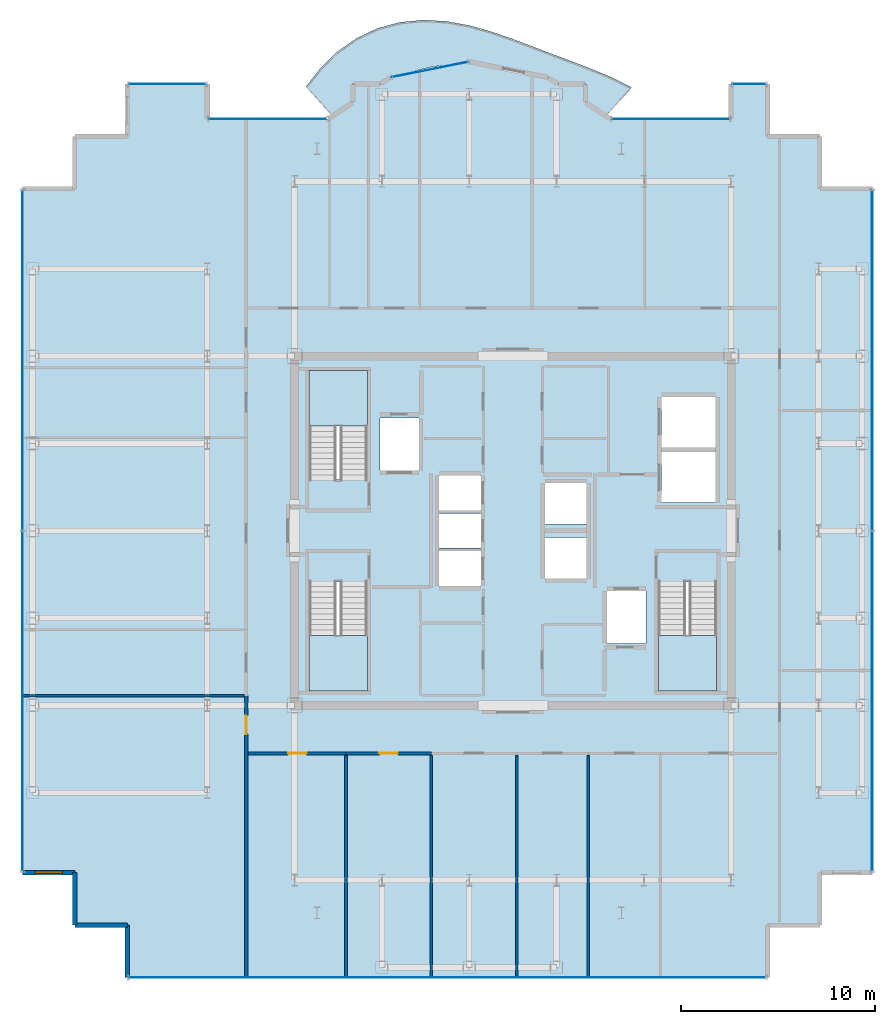
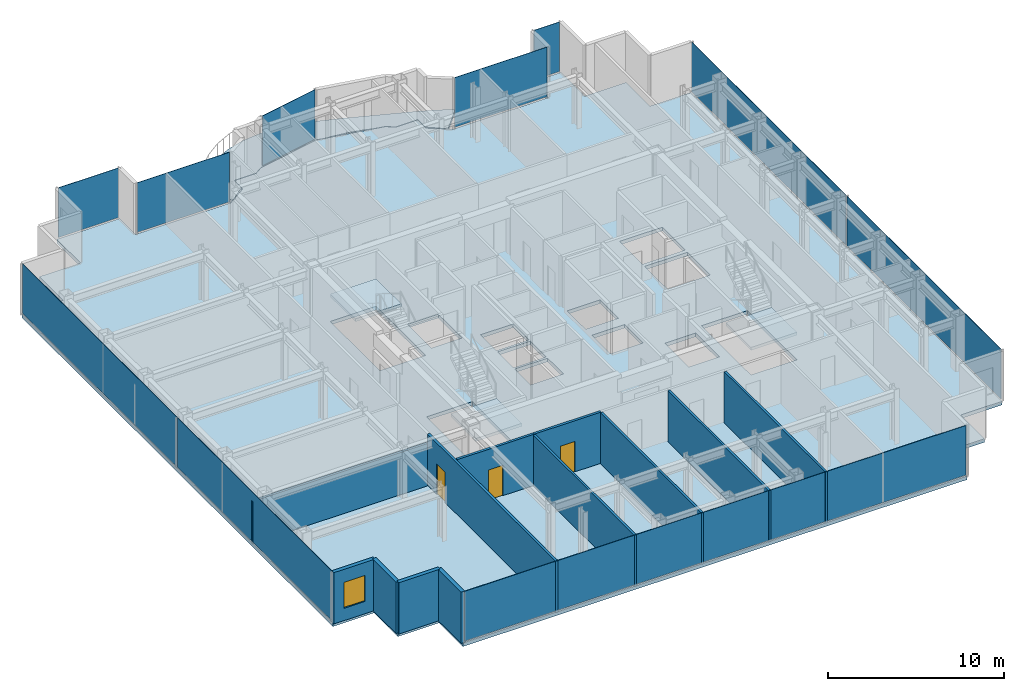
# One storey, part 12 of 18: 12 walls, 10 plates, 5 slabs, 3 doors, 1 window, 4 openings, 11 elements without a shape of their own.
"""IFC4 building model written with IfcOpenShell, lengths in metres."""

from ifc_helpers import new_model, si_unit, direction, frame, frame_2d, origin, origin_2d, place, context, subcontext, project, spatial, polyline, rectangle, outline, extrude, source, transform, mapped, material, layer, layer_set, type_object, element, fill, aggregate, save


model = new_model("IFC4")

# Units and contexts
model_context = context("Model", 3, precision=1e-05, world=origin(), true_north=direction((0.0, 1.0)))
body_context = subcontext(model_context, "Body", "Model", "MODEL_VIEW")
ifc_project = project(units=[si_unit("LENGTHUNIT", "METRE"), si_unit("AREAUNIT", "SQUARE_METRE"), si_unit("VOLUMEUNIT", "CUBIC_METRE"), si_unit("PLANEANGLEUNIT", "RADIAN"), si_unit("MASSUNIT", "GRAM", prefix="KILO")], contexts=[model_context])

# Site, building, storey
site_placement = place(None, origin())
site = spatial("IfcSite", under=ifc_project, at=site_placement, CompositionType="ELEMENT")
building_placement = place(site_placement, origin())
building = spatial("IfcBuilding", under=site, at=building_placement, Name="Nefas-Gora Pilgrimage Tower", CompositionType="ELEMENT")
storey_placement = place(building_placement, frame((0.0, 0.0, 283.60009765625)))
storey = spatial("IfcBuildingStorey", under=building, at=storey_placement, Name="L71", CompositionType="ELEMENT", Elevation=283.60009765625)

# Slabs
ifc_material_1 = material(Name="Concrete C40/50", Category="concrete")
ifc_layer_1 = layer(ifc_material_1, 0.22509765625)
ifc_layer_set_1 = layer_set([ifc_layer_1], Name="Concrete C40/50")
slab_type_1 = type_object("IfcSlabType", Name="SLB-BAL-P4", PredefinedType="FLOOR", material=ifc_layer_set_1)
slab_1_placement = place(storey_placement, frame((0.0, 0.0, -0.22509765625)))
element("IfcSlab", 1, at=slab_1_placement, inside=storey, type_object=slab_type_1, Name="L71 Sinusoidal Lobe Balcony Slab N (Phase 4)", PredefinedType="FLOOR", context=body_context, shape_type="SweptSolid", body=[
    extrude(outline(polyline([(-9.28759765625, 21.385986328125), (-9.224609375, 21.427978515625), (-8.538330078125, 21.9912109375), (-8.260009765625, 22.179931640625), (-8.260009765625, 23.02001953125), (-8.260009765625, 23.02099609375), (-8.259765625, 23.02197265625), (-8.259521484375, 23.02294921875), (-8.25927734375, 23.023681640625), (-8.2587890625, 23.024658203125), (-8.25830078125, 23.025634765625), (-8.2578125, 23.0263671875), (-8.257080078125, 23.027099609375), (-8.25634765625, 23.027587890625), (-8.255615234375, 23.0283203125), (-8.254638671875, 23.02880859375), (-8.25390625, 23.029296875), (-8.2529296875, 23.029541015625), (-8.251953125, 23.02978515625), (-8.2509765625, 23.030029296875), (-8.25, 23.030029296875), (-6.8271484375, 23.030029296875), (-6.31298828125, 23.37353515625), (-6.31201171875, 23.3740234375), (-6.311279296875, 23.37451171875), (-6.310302734375, 23.375), (-6.309326171875, 23.375), (-5.63037109375, 23.51025390625), (-5.102783203125, 23.685302734375), (-4.165283203125, 23.904052734375), (-3.211669921875, 24.035888671875), (-2.919921875, 24.04931640625), (-2.251953125, 24.18212890625), (-2.2509765625, 24.182373046875), (-2.25, 24.182373046875), (-2.2490234375, 24.182373046875), (-2.248046875, 24.18212890625), (-1.580078125, 24.04931640625), (-1.288330078125, 24.035888671875), (-0.334716796875, 23.904052734375), (0.602783203125, 23.685302734375), (1.13037109375, 23.51025390625), (1.809326171875, 23.375), (1.810302734375, 23.375), (1.811279296875, 23.37451171875), (1.81201171875, 23.3740234375), (1.81298828125, 23.37353515625), (2.3271484375, 23.030029296875), (3.75, 23.030029296875), (3.7509765625, 23.030029296875), (3.751953125, 23.02978515625), (3.7529296875, 23.029541015625), (3.75390625, 23.029296875), (3.754638671875, 23.02880859375), (3.755615234375, 23.0283203125), (3.75634765625, 23.027587890625), (3.757080078125, 23.027099609375), (3.7578125, 23.0263671875), (3.75830078125, 23.025634765625), (3.7587890625, 23.024658203125), (3.75927734375, 23.023681640625), (3.759521484375, 23.02294921875), (3.759765625, 23.02197265625), (3.760009765625, 23.02099609375), (3.760009765625, 23.02001953125), (3.760009765625, 22.179931640625), (4.038330078125, 21.9912109375), (4.724609375, 21.427978515625), (4.78759765625, 21.385986328125), (6.114013671875, 22.859375), (5.07080078125, 23.373779296875), (4.025390625, 23.810302734375), (2.994384765625, 24.20458984375), (1.978759765625, 24.58642578125), (0.965576171875, 24.9716796875), (-0.06494140625, 25.359130859375), (-1.1328125, 25.7275390625), (-2.25, 26.041015625), (-3.41552734375, 26.25390625), (-4.61328125, 26.321533203125), (-5.814208984375, 26.20751953125), (-6.97998046875, 25.89208984375), (-8.072021484375, 25.375732421875), (-9.05810546875, 24.6796875), (-9.9189453125, 23.840087890625), (-10.653076171875, 22.902587890625), (-9.28759765625, 21.385986328125)])), origin(), (0.0, 0.0, 1.0), 0.22509765625),
])
ifc_layer_2 = layer(ifc_material_1, 0.25)
ifc_layer_set_2 = layer_set([ifc_layer_2], Name="Concrete C40/50")
slab_type_2 = type_object("IfcSlabType", Name="SLB-TWR-260", PredefinedType="FLOOR", material=ifc_layer_set_2)
slab_2_placement = place(storey_placement, frame((0.0, 0.0, -0.25)))
element("IfcSlab", 2, at=slab_2_placement, inside=storey, type_object=slab_type_2, Name="L71 Structural Floor Slab", PredefinedType="FLOOR", context=body_context, shape_type="SweptSolid", body=[
    extrude(outline(polyline([(15.820068359375, -17.6201171875), (18.52001953125, -17.6201171875), (18.52001953125, 17.6201171875), (15.820068359375, 17.6201171875), (15.820068359375, 20.320068359375), (13.1201171875, 20.320068359375), (13.1201171875, 23.02001953125), (11.25, 23.02001953125), (11.25, 21.219970703125), (5.01806640625, 21.219970703125), (3.75, 22.0673828125), (3.75, 23.02001953125), (2.32421875, 23.02001953125), (1.807373046875, 23.365234375), (-2.25, 24.17236328125), (-6.307373046875, 23.365234375), (-6.82421875, 23.02001953125), (-8.25, 23.02001953125), (-8.25, 22.0673828125), (-9.51806640625, 21.219970703125), (-15.75, 21.219970703125), (-15.75, 23.02001953125), (-19.8701171875, 23.02001953125), (-19.8701171875, 20.320068359375), (-22.570068359375, 20.320068359375), (-22.570068359375, 17.6201171875), (-25.27001953125, 17.6201171875), (-25.27001953125, -17.6201171875), (-22.570068359375, -17.6201171875), (-22.570068359375, -20.320068359375), (-19.8701171875, -20.320068359375), (-19.8701171875, -23.02001953125), (13.1201171875, -23.02001953125), (13.1201171875, -20.320068359375), (15.820068359375, -20.320068359375), (15.820068359375, -17.6201171875)]), holes=[polyline([(-10.5, 2.639892578125), (-10.5, 8.25), (-7.5, 8.25), (-7.5, 2.639892578125), (-10.5, 2.639892578125)]), polyline([(10.5, -2.639892578125), (10.5, -8.25), (7.5, -8.25), (7.5, -2.639892578125), (10.5, -2.639892578125)]), polyline([(-7.5, -2.639892578125), (-7.5, -8.25), (-10.5, -8.25), (-10.5, -2.639892578125), (-7.5, -2.639892578125)]), polyline([(-6.85009765625, 5.800048828125), (-4.85009765625, 5.800048828125), (-4.85009765625, 3.10009765625), (-6.85009765625, 3.10009765625), (-6.85009765625, 5.800048828125)]), polyline([(4.85009765625, -3.10009765625), (6.85009765625, -3.10009765625), (6.85009765625, -5.800048828125), (4.85009765625, -5.800048828125), (4.85009765625, -3.10009765625)]), polyline([(7.64990234375, 4.050048828125), (10.449951171875, 4.050048828125), (10.449951171875, 1.449951171875), (7.64990234375, 1.449951171875), (7.64990234375, 4.050048828125)]), polyline([(7.64990234375, 6.89990234375), (10.449951171875, 6.89990234375), (10.449951171875, 4.300048828125), (7.64990234375, 4.300048828125), (7.64990234375, 6.89990234375)]), polyline([(-3.800048828125, -1.050048828125), (-1.64990234375, -1.050048828125), (-1.64990234375, -2.85009765625), (-3.800048828125, -2.85009765625), (-3.800048828125, -1.050048828125)]), polyline([(-3.800048828125, 0.89990234375), (-1.64990234375, 0.89990234375), (-1.64990234375, -0.89990234375), (-3.800048828125, -0.89990234375), (-3.800048828125, 0.89990234375)]), polyline([(-3.800048828125, 2.85009765625), (-1.64990234375, 2.85009765625), (-1.64990234375, 1.050048828125), (-3.800048828125, 1.050048828125), (-3.800048828125, 2.85009765625)]), polyline([(1.64990234375, -0.35009765625), (3.800048828125, -0.35009765625), (3.800048828125, -2.449951171875), (1.64990234375, -2.449951171875), (1.64990234375, -0.35009765625)]), polyline([(1.64990234375, 2.449951171875), (3.800048828125, 2.449951171875), (3.800048828125, 0.35009765625), (1.64990234375, 0.35009765625), (1.64990234375, 2.449951171875)])]), origin(), (0.0, 0.0, 1.0), 0.25),
])

# Stair, slab
ifc_material_2 = material(Name="Concrete C45/55", Category="concrete")
stair_type = type_object("IfcStairType", Name="STR-1400-R1727", PredefinedType="HALF_TURN_STAIR", material=ifc_material_2)
stair_1_placement = place(storey_placement, origin())
stair_1 = element("IfcStair", 3, at=stair_1_placement, inside=storey, type_object=stair_type, Name="L71 Pressurised Tower Exit Stair ST-01", PredefinedType="HALF_TURN_STAIR")
ifc_layer_3 = layer(ifc_material_1, 0.199951171875)
ifc_layer_set_3 = layer_set([ifc_layer_3], Name="Concrete C40/50")
slab_type_3 = type_object("IfcSlabType", Name="STR-LAND-200", PredefinedType="LANDING", material=ifc_layer_set_3)
slab_3_placement = place(storey_placement, frame((0.0, 0.0, 1.699951171875)))
slab_3 = element("IfcSlab", 4, at=slab_3_placement, type_object=slab_type_3, Name="ST-01 landing 1", PredefinedType="LANDING", context=body_context, shape_type="SweptSolid", body=[
    extrude(outline(polyline([(-7.5, 5.39990234375), (-7.5, 8.25), (-10.5, 8.25), (-10.5, 5.39990234375), (-7.5, 5.39990234375)])), origin(), (0.0, 0.0, 1.0), 0.199951171875),
])
aggregate(stair_1, [slab_3])

stair_2_placement = place(storey_placement, origin())
stair_2 = element("IfcStair", 5, at=stair_2_placement, inside=storey, type_object=stair_type, Name="L71 Pressurised Tower Exit Stair ST-02", PredefinedType="HALF_TURN_STAIR")
slab_4_placement = place(storey_placement, frame((0.0, 0.0, 1.699951171875)))
slab_4 = element("IfcSlab", 6, at=slab_4_placement, type_object=slab_type_3, Name="ST-02 landing 1", PredefinedType="LANDING", context=body_context, shape_type="SweptSolid", body=[
    extrude(outline(polyline([(7.5, -5.39990234375), (7.5, -8.25), (10.5, -8.25), (10.5, -5.39990234375), (7.5, -5.39990234375)])), origin(), (0.0, 0.0, 1.0), 0.199951171875),
])
aggregate(stair_2, [slab_4])

stair_3_placement = place(storey_placement, origin())
stair_3 = element("IfcStair", 7, at=stair_3_placement, inside=storey, type_object=stair_type, Name="L71 Pressurised Tower Exit Stair ST-03", PredefinedType="HALF_TURN_STAIR")
slab_5_placement = place(storey_placement, frame((0.0, 0.0, 1.699951171875)))
slab_5 = element("IfcSlab", 8, at=slab_5_placement, type_object=slab_type_3, Name="ST-03 landing 1", PredefinedType="LANDING", context=body_context, shape_type="SweptSolid", body=[
    extrude(outline(polyline([(-10.5, -5.39990234375), (-10.5, -8.25), (-7.5, -8.25), (-7.5, -5.39990234375), (-10.5, -5.39990234375)])), origin(), (0.0, 0.0, 1.0), 0.199951171875),
])
aggregate(stair_3, [slab_5])

# Curtain wall, plate
ifc_material_3 = material(Name="Dark ceramic-fritted solar-control aluminium-glass curtain wall", Category="aluminium")
ifc_layer_4 = layer(ifc_material_3, 0.219970703125)
ifc_layer_set_4 = layer_set([ifc_layer_4], Name="Dark ceramic-fritted solar-control aluminium-glass curtain wall")
curtain_wall_type_1 = type_object("IfcCurtainWallType", Name="CW-SYS-5", PredefinedType="NOTDEFINED", material=ifc_layer_set_4)
curtain_wall_1_placement = place(storey_placement, origin())
curtain_wall_1 = element("IfcCurtainWall", 9, at=curtain_wall_1_placement, inside=storey, type_object=curtain_wall_type_1, Name="L71 Unitised Curtain Wall CW5", PredefinedType="NOTDEFINED")
ifc_material_4 = material(Name="Dark ceramic-printed low-e insulated glass", Category="glass")
ifc_layer_5 = layer(ifc_material_4, 0.028076171875)
ifc_layer_set_5 = layer_set([ifc_layer_5], Name="Dark ceramic-printed low-e insulated glass")
plate_type_1 = type_object("IfcPlateType", Name="CWP-PNL-5", PredefinedType="CURTAIN_PANEL", material=ifc_layer_set_5)
shared_shape_1 = source(origin(), body_context, "Body", "SweptSolid", [
    extrude(rectangle(XDim=6.052001953125, YDim=0.028076171875, at=origin_2d()), origin(), (0.0, 0.0, 1.0), 3.43994140625),
])
plate_1_placement = place(storey_placement, frame((8.134033203125, 21.219970703125, 0.099853515625), z_axis=(0.0, 0.0, 1.0), x_axis=(-1.0, 0.0, 0.0)))
plate_1 = element("IfcPlate", 10, at=plate_1_placement, type_object=plate_type_1, Name="CW5 Ceramic-Fritted Glazing Panel 1", PredefinedType="CURTAIN_PANEL", context=body_context, shape_type="MappedRepresentation", body=[
    mapped(shared_shape_1, transform((0.0, 0.0, 0.0), x_axis=(1.0, 0.0, 0.0), y_axis=(0.0, 1.0, 0.0), z_axis=(0.0, 0.0, 1.0), scale=1.0)),
])
aggregate(curtain_wall_1, [plate_1])

curtain_wall_2_placement = place(storey_placement, origin())
curtain_wall_2 = element("IfcCurtainWall", 11, at=curtain_wall_2_placement, inside=storey, type_object=curtain_wall_type_1, Name="L71 Unitised Curtain Wall CW5", PredefinedType="NOTDEFINED")
plate_2_placement = place(storey_placement, frame((-12.634033203125, 21.219970703125, 0.099853515625), z_axis=(0.0, 0.0, 1.0), x_axis=(-1.0, 0.0, 0.0)))
plate_2 = element("IfcPlate", 12, at=plate_2_placement, type_object=plate_type_1, Name="CW5 Ceramic-Fritted Glazing Panel 1", PredefinedType="CURTAIN_PANEL", context=body_context, shape_type="MappedRepresentation", body=[
    mapped(shared_shape_1, transform((0.0, 0.0, 0.0), x_axis=(1.0, 0.0, 0.0), y_axis=(0.0, 1.0, 0.0), z_axis=(0.0, 0.0, 1.0), scale=1.0)),
])
aggregate(curtain_wall_2, [plate_2])

curtain_wall_3_placement = place(storey_placement, origin())
curtain_wall_3 = element("IfcCurtainWall", 13, at=curtain_wall_3_placement, inside=storey, type_object=curtain_wall_type_1, Name="L71 Unitised Curtain Wall CW5", PredefinedType="NOTDEFINED")
shared_shape_2 = source(origin(), body_context, "Body", "SweptSolid", [
    extrude(rectangle(XDim=3.956787109375, YDim=0.028076171875, at=origin_2d()), origin(), (0.0, 0.0, 1.0), 3.43994140625),
])
plate_3_placement = place(storey_placement, frame((-4.278564453125, 23.768798828125, 0.099853515625), z_axis=(0.0, 0.0, 1.0), x_axis=(-0.980782896852, -0.195102304554, 0.0)))
plate_3 = element("IfcPlate", 14, at=plate_3_placement, type_object=plate_type_1, Name="CW5 Ceramic-Fritted Glazing Panel 1", PredefinedType="CURTAIN_PANEL", context=body_context, shape_type="MappedRepresentation", body=[
    mapped(shared_shape_2, transform((0.0, 0.0, 0.0), x_axis=(1.0, 0.0, 0.0), y_axis=(0.0, 1.0, 0.0), z_axis=(0.0, 0.0, 1.0), scale=1.0)),
])
aggregate(curtain_wall_3, [plate_3])

ifc_layer_6 = layer(ifc_material_3, 0.219970703125)
ifc_layer_set_6 = layer_set([ifc_layer_6], Name="Dark ceramic-fritted solar-control aluminium-glass curtain wall")
curtain_wall_type_2 = type_object("IfcCurtainWallType", Name="CW-SYS-4", PredefinedType="NOTDEFINED", material=ifc_layer_set_6)
curtain_wall_4_placement = place(storey_placement, origin())
curtain_wall_4 = element("IfcCurtainWall", 15, at=curtain_wall_4_placement, inside=storey, type_object=curtain_wall_type_2, Name="L71 Unitised Curtain Wall CW4", PredefinedType="NOTDEFINED")
ifc_layer_7 = layer(ifc_material_4, 0.030029296875)
ifc_layer_set_7 = layer_set([ifc_layer_7], Name="Dark ceramic-printed low-e insulated glass")
plate_type_2 = type_object("IfcPlateType", Name="CWP-PNL-4", PredefinedType="CURTAIN_PANEL", material=ifc_layer_set_7)
shared_shape_3 = source(origin(), body_context, "Body", "SweptSolid", [
    extrude(rectangle(XDim=1.68994140625, YDim=0.030029296875, at=origin_2d()), origin(), (0.0, 0.0, 1.0), 3.43994140625),
])
plate_4_placement = place(storey_placement, frame((12.18505859375, 23.02001953125, 0.099853515625), z_axis=(0.0, 0.0, 1.0), x_axis=(-1.0, 0.0, 0.0)))
plate_4 = element("IfcPlate", 16, at=plate_4_placement, type_object=plate_type_2, Name="CW4 Ceramic-Fritted Glazing Panel 1", PredefinedType="CURTAIN_PANEL", context=body_context, shape_type="MappedRepresentation", body=[
    mapped(shared_shape_3, transform((0.0, 0.0, 0.0), x_axis=(1.0, 0.0, 0.0), y_axis=(0.0, 1.0, 0.0), z_axis=(0.0, 0.0, 1.0), scale=1.0)),
])
aggregate(curtain_wall_4, [plate_4])

curtain_wall_5_placement = place(storey_placement, origin())
curtain_wall_5 = element("IfcCurtainWall", 17, at=curtain_wall_5_placement, inside=storey, type_object=curtain_wall_type_2, Name="L71 Unitised Curtain Wall CW4", PredefinedType="NOTDEFINED")
shared_shape_4 = source(origin(), body_context, "Body", "SweptSolid", [
    extrude(rectangle(XDim=3.93994140625, YDim=0.030029296875, at=origin_2d()), origin(), (0.0, 0.0, 1.0), 3.43994140625),
])
plate_5_placement = place(storey_placement, frame((-17.81005859375, 23.02001953125, 0.099853515625), z_axis=(0.0, 0.0, 1.0), x_axis=(-1.0, 0.0, 0.0)))
plate_5 = element("IfcPlate", 18, at=plate_5_placement, type_object=plate_type_2, Name="CW4 Ceramic-Fritted Glazing Panel 1", PredefinedType="CURTAIN_PANEL", context=body_context, shape_type="MappedRepresentation", body=[
    mapped(shared_shape_4, transform((0.0, 0.0, 0.0), x_axis=(1.0, 0.0, 0.0), y_axis=(0.0, 1.0, 0.0), z_axis=(0.0, 0.0, 1.0), scale=1.0)),
])
aggregate(curtain_wall_5, [plate_5])

curtain_wall_6_placement = place(storey_placement, origin())
curtain_wall_6 = element("IfcCurtainWall", 19, at=curtain_wall_6_placement, inside=storey, type_object=curtain_wall_type_2, Name="L71 Unitised Curtain Wall CW4", PredefinedType="NOTDEFINED")
shared_shape_5 = source(origin(), body_context, "Body", "SweptSolid", [
    extrude(rectangle(XDim=32.81005859375, YDim=0.030029296875, at=origin_2d()), origin(), (0.0, 0.0, 1.0), 3.43994140625),
])
plate_6_placement = place(storey_placement, frame((-3.375, -23.02001953125, 0.099853515625), z_axis=(0.0, 0.0, 1.0), x_axis=(1.0, 0.0, 0.0)))
plate_6 = element("IfcPlate", 20, at=plate_6_placement, type_object=plate_type_2, Name="CW4 Ceramic-Fritted Glazing Panel 1", PredefinedType="CURTAIN_PANEL", context=body_context, shape_type="MappedRepresentation", body=[
    mapped(shared_shape_5, transform((0.0, 0.0, 0.0), x_axis=(1.0, 0.0, 0.0), y_axis=(0.0, 1.0, 0.0), z_axis=(0.0, 0.0, 1.0), scale=1.0)),
])
aggregate(curtain_wall_6, [plate_6])

# Curtain wall, plates
curtain_wall_7_placement = place(storey_placement, origin())
curtain_wall_7 = element("IfcCurtainWall", 21, at=curtain_wall_7_placement, inside=storey, type_object=curtain_wall_type_2, Name="L71 Unitised Curtain Wall CW4", PredefinedType="NOTDEFINED")
shared_shape_6 = source(origin(), body_context, "Body", "SweptSolid", [
    extrude(rectangle(XDim=17.485107421875, YDim=0.030029296875, at=origin_2d()), origin(), (0.0, 0.0, 1.0), 3.43994140625),
])
plate_7_placement = place(storey_placement, frame((18.52001953125, -8.78759765625, 0.099853515625), z_axis=(0.0, 0.0, 1.0), x_axis=(0.0, 1.0, 0.0)))
plate_7 = element("IfcPlate", 22, at=plate_7_placement, type_object=plate_type_2, Name="CW4 Ceramic-Fritted Glazing Panel 1", PredefinedType="CURTAIN_PANEL", context=body_context, shape_type="MappedRepresentation", body=[
    mapped(shared_shape_6, transform((0.0, 0.0, 0.0), x_axis=(1.0, 0.0, 0.0), y_axis=(0.0, 1.0, 0.0), z_axis=(0.0, 0.0, 1.0), scale=1.0)),
])
plate_8_placement = place(storey_placement, frame((18.52001953125, 8.78759765625, 0.099853515625), z_axis=(0.0, 0.0, 1.0), x_axis=(0.0, 1.0, 0.0)))
plate_8 = element("IfcPlate", 23, at=plate_8_placement, type_object=plate_type_2, Name="CW4 Ceramic-Fritted Glazing Panel 2", PredefinedType="CURTAIN_PANEL", context=body_context, shape_type="MappedRepresentation", body=[
    mapped(shared_shape_6, transform((0.0, 0.0, 0.0), x_axis=(1.0, 0.0, 0.0), y_axis=(0.0, 1.0, 0.0), z_axis=(0.0, 0.0, 1.0), scale=1.0)),
])
aggregate(curtain_wall_7, [plate_7, plate_8])

curtain_wall_8_placement = place(storey_placement, origin())
curtain_wall_8 = element("IfcCurtainWall", 24, at=curtain_wall_8_placement, inside=storey, type_object=curtain_wall_type_2, Name="L71 Unitised Curtain Wall CW4", PredefinedType="NOTDEFINED")
plate_9_placement = place(storey_placement, frame((-25.27001953125, 8.78759765625, 0.099853515625), z_axis=(0.0, 0.0, 1.0), x_axis=(0.0, -1.0, 0.0)))
plate_9 = element("IfcPlate", 25, at=plate_9_placement, type_object=plate_type_2, Name="CW4 Ceramic-Fritted Glazing Panel 1", PredefinedType="CURTAIN_PANEL", context=body_context, shape_type="MappedRepresentation", body=[
    mapped(shared_shape_6, transform((0.0, 0.0, 0.0), x_axis=(1.0, 0.0, 0.0), y_axis=(0.0, 1.0, 0.0), z_axis=(0.0, 0.0, 1.0), scale=1.0)),
])
plate_10_placement = place(storey_placement, frame((-25.27001953125, -8.78759765625, 0.099853515625), z_axis=(0.0, 0.0, 1.0), x_axis=(0.0, -1.0, 0.0)))
plate_10 = element("IfcPlate", 26, at=plate_10_placement, type_object=plate_type_2, Name="CW4 Ceramic-Fritted Glazing Panel 2", PredefinedType="CURTAIN_PANEL", context=body_context, shape_type="MappedRepresentation", body=[
    mapped(shared_shape_6, transform((0.0, 0.0, 0.0), x_axis=(1.0, 0.0, 0.0), y_axis=(0.0, 1.0, 0.0), z_axis=(0.0, 0.0, 1.0), scale=1.0)),
])
aggregate(curtain_wall_8, [plate_9, plate_10])

# Wall, opening, window
ifc_material_5 = material(Name="Precast concrete C45/55", Category="concrete")
ifc_layer_8 = layer(ifc_material_5, 0.239990234375)
ifc_layer_set_8 = layer_set([ifc_layer_8], Name="Precast concrete C45/55")
wall_type_1 = type_object("IfcWallType", Name="EW-SERR-240", PredefinedType="SHEAR", material=ifc_layer_set_8)
shared_shape_7 = source(origin(), body_context, "Body", "SweptSolid", [
    extrude(rectangle(XDim=2.699951171875, YDim=0.239990234375, at=frame_2d((1.35009765625, 0.0))), origin(), (0.0, 0.0, 1.0), 3.5498046875),
])
wall_1_placement = place(storey_placement, frame((-25.27001953125, -17.6201171875, 0.0), z_axis=(0.0, 0.0, 1.0), x_axis=(1.0, 0.0, 0.0)))
wall_1 = element("IfcWall", 27, at=wall_1_placement, inside=storey, type_object=wall_type_1, Name="L71 Serrated Corner Shear Pier Wall 21", PredefinedType="SHEAR", context=body_context, shape_type="MappedRepresentation", body=[
    mapped(shared_shape_7, transform((0.0, 0.0, 0.0), x_axis=(1.0, 0.0, 0.0), y_axis=(0.0, 1.0, 0.0), z_axis=(0.0, 0.0, 1.0), scale=1.0)),
])
opening_1_placement = place(wall_1_placement, frame((0.64990234375, 0.0, 0.85009765625)))
opening_1 = element("IfcOpeningElement", 28, at=opening_1_placement, cuts=wall_1, Name="Opening W-V2", PredefinedType="OPENING", context=body_context, shape_type="SweptSolid", body=[
    extrude(rectangle(XDim=1.39990234375, YDim=1.800048828125, at=frame_2d((0.699951171875, 0.89990234375))), frame((0.0, 0.1298828125, 0.0), z_axis=(0.0, -1.0, 0.0), x_axis=(1.0, 0.0, 0.0)), (0.0, 0.0, 1.0), 0.260009765625),
])
ifc_material_6 = material(Name="Dark ceramic-fritted operable aluminium-glass window", Category="aluminium")
window_type = type_object("IfcWindowType", Name="WIN-VENT-1400x1800", PartitioningType="SINGLE_PANEL", PredefinedType="WINDOW", material=ifc_material_6)
shared_shape_8 = source(origin(), body_context, "Body", "SweptSolid", [
    extrude(rectangle(XDim=1.39990234375, YDim=1.800048828125, at=frame_2d((0.699951171875, 0.89990234375))), frame((0.0, 0.030029296875, 0.0), z_axis=(0.0, -1.0, 0.0), x_axis=(1.0, 0.0, 0.0)), (0.0, 0.0, 1.0), 0.06005859375),
])
window_placement = place(opening_1_placement, origin())
window = element("IfcWindow", 29, at=window_placement, inside=storey, type_object=window_type, Name="L71 Operable Parallel-Outswing Window 21", OverallHeight=1.800048828125, OverallWidth=1.39990234375, PartitioningType="SINGLE_PANEL", PredefinedType="WINDOW", context=body_context, shape_type="MappedRepresentation", body=[
    mapped(shared_shape_8, transform((0.0, 0.0, 0.0), x_axis=(1.0, 0.0, 0.0), y_axis=(0.0, 1.0, 0.0), z_axis=(0.0, 0.0, 1.0), scale=1.0)),
])
fill(opening_1, window)

# Walls
for number, where, z_axis, x_axis, name in (
    (30, (-22.570068359375, -17.6201171875, 0.0), (0.0, 0.0, 1.0), (0.0, -1.0, 0.0), "L71 Serrated Corner Shear Pier Wall 22"),
    (31, (-22.570068359375, -20.320068359375, 0.0), (0.0, 0.0, 1.0), (1.0, 0.0, 0.0), "L71 Serrated Corner Shear Pier Wall 23"),
    (32, (-19.8701171875, -20.320068359375, 0.0), (0.0, 0.0, 1.0), (0.0, -1.0, 0.0), "L71 Serrated Corner Shear Pier Wall 24"),
):
    element("IfcWall", number, at=place(storey_placement, frame(where, z_axis=z_axis, x_axis=x_axis)), inside=storey, type_object=wall_type_1, Name=name, PredefinedType="SHEAR", context=body_context, shape_type="MappedRepresentation", body=[
        mapped(shared_shape_7, transform((0.0, 0.0, 0.0), x_axis=(1.0, 0.0, 0.0), y_axis=(0.0, 1.0, 0.0), z_axis=(0.0, 0.0, 1.0), scale=1.0)),
    ])

# Wall, opening, door
ifc_material_7 = material(Name="Gypsum acoustic stud partition")
ifc_layer_9 = layer(ifc_material_7, 0.159912109375)
ifc_layer_set_9 = layer_set([ifc_layer_9], Name="Gypsum acoustic stud partition")
wall_type_2 = type_object("IfcWallType", Name="IW-CORR-160", PredefinedType="PARTITIONING", material=ifc_layer_set_9)
shared_shape_9 = source(origin(), body_context, "Body", "SweptSolid", [
    extrude(rectangle(XDim=14.544921875, YDim=0.159912109375, at=frame_2d((7.2724609375, 0.0))), origin(), (0.0, 0.0, 1.0), 3.534912109375),
])
wall_2_placement = place(storey_placement, frame((-13.739990234375, -23.0400390625, 0.0), z_axis=(0.0, 0.0, 1.0), x_axis=(0.0, 1.0, 0.0)))
wall_2 = element("IfcWall", 33, at=wall_2_placement, inside=storey, type_object=wall_type_2, Name="L71 Pilgrim Tea and Beverage Pantry Partition Wall 39", PredefinedType="PARTITIONING", context=body_context, shape_type="MappedRepresentation", body=[
    mapped(shared_shape_9, transform((0.0, 0.0, 0.0), x_axis=(1.0, 0.0, 0.0), y_axis=(0.0, 1.0, 0.0), z_axis=(0.0, 0.0, 1.0), scale=1.0)),
])
opening_2_placement = place(wall_2_placement, frame((12.5625, 0.0, 0.0)))
opening_2 = element("IfcOpeningElement", 34, at=opening_2_placement, cuts=wall_2, Name="Opening ID-GR1", PredefinedType="OPENING", context=body_context, shape_type="SweptSolid", body=[
    extrude(rectangle(XDim=0.949951171875, YDim=2.10009765625, at=frame_2d((0.47509765625, 1.050048828125))), frame((0.0, 0.08984375, 0.0), z_axis=(0.0, -1.0, 0.0), x_axis=(1.0, 0.0, 0.0)), (0.0, 0.0, 1.0), 0.179931640625),
])
ifc_material_8 = material(Name="Solid core oak fire-rated guest entrance door")
door_type = type_object("IfcDoorType", Name="DR-INT-GUEST-950", OperationType="NOTDEFINED", PredefinedType="DOOR", material=ifc_material_8)
shared_shape_10 = source(origin(), body_context, "Body", "SweptSolid", [
    extrude(rectangle(XDim=0.949951171875, YDim=2.10009765625, at=frame_2d((0.47509765625, 1.050048828125))), frame((0.0, 0.02490234375, 0.0), z_axis=(0.0, -1.0, 0.0), x_axis=(1.0, 0.0, 0.0)), (0.0, 0.0, 1.0), 0.050048828125),
])
door_1_placement = place(opening_2_placement, origin())
door_1 = element("IfcDoor", 35, at=door_1_placement, inside=storey, type_object=door_type, Name="L71 Pilgrim Tea and Beverage Pantry Door 16", OperationType="SINGLE_SWING_RIGHT", OverallHeight=2.10009765625, OverallWidth=0.949951171875, PredefinedType="DOOR", context=body_context, shape_type="MappedRepresentation", body=[
    mapped(shared_shape_10, transform((0.0, 0.0, 0.0), x_axis=(1.0, 0.0, 0.0), y_axis=(0.0, 1.0, 0.0), z_axis=(0.0, 0.0, 1.0), scale=1.0)),
])
fill(opening_2, door_1)

shared_shape_11 = source(origin(), body_context, "Body", "SweptSolid", [
    extrude(rectangle(XDim=5.025146484375, YDim=0.159912109375, at=frame_2d((2.5126953125, 0.0))), origin(), (0.0, 0.0, 1.0), 3.534912109375),
])
wall_3_placement = place(storey_placement, frame((-13.6201171875, -11.469970703125, 0.0), z_axis=(0.0, 0.0, 1.0), x_axis=(1.0, 0.0, 0.0)))
wall_3 = element("IfcWall", 36, at=wall_3_placement, inside=storey, type_object=wall_type_2, Name="L71 Pilgrim Contemplative Lounge Partition Wall 61", PredefinedType="PARTITIONING", context=body_context, shape_type="MappedRepresentation", body=[
    mapped(shared_shape_11, transform((0.0, 0.0, 0.0), x_axis=(1.0, 0.0, 0.0), y_axis=(0.0, 1.0, 0.0), z_axis=(0.0, 0.0, 1.0), scale=1.0)),
])
opening_3_placement = place(wall_3_placement, frame((2.03759765625, 0.0, 0.0)))
opening_3 = element("IfcOpeningElement", 37, at=opening_3_placement, cuts=wall_3, Name="Opening ID-GR1", PredefinedType="OPENING", context=body_context, shape_type="SweptSolid", body=[
    extrude(rectangle(XDim=0.949951171875, YDim=2.10009765625, at=frame_2d((0.47509765625, 1.050048828125))), frame((0.0, 0.08984375, 0.0), z_axis=(0.0, -1.0, 0.0), x_axis=(1.0, 0.0, 0.0)), (0.0, 0.0, 1.0), 0.179931640625),
])
door_2_placement = place(opening_3_placement, origin())
door_2 = element("IfcDoor", 38, at=door_2_placement, inside=storey, type_object=door_type, Name="L71 Pilgrim Contemplative Lounge Door 29", OperationType="SINGLE_SWING_LEFT", OverallHeight=2.10009765625, OverallWidth=0.949951171875, PredefinedType="DOOR", context=body_context, shape_type="MappedRepresentation", body=[
    mapped(shared_shape_10, transform((0.0, 0.0, 0.0), x_axis=(1.0, 0.0, 0.0), y_axis=(0.0, 1.0, 0.0), z_axis=(0.0, 0.0, 1.0), scale=1.0)),
])
fill(opening_3, door_2)

shared_shape_12 = source(origin(), body_context, "Body", "SweptSolid", [
    extrude(rectangle(XDim=4.405029296875, YDim=0.159912109375, at=frame_2d((2.20263671875, 0.0))), origin(), (0.0, 0.0, 1.0), 3.534912109375),
])
wall_4_placement = place(storey_placement, frame((-8.60498046875, -11.469970703125, 0.0), z_axis=(0.0, 0.0, 1.0), x_axis=(1.0, 0.0, 0.0)))
wall_4 = element("IfcWall", 39, at=wall_4_placement, inside=storey, type_object=wall_type_2, Name="L71 Pilgrim Contemplative Lounge Partition Wall 63", PredefinedType="PARTITIONING", context=body_context, shape_type="MappedRepresentation", body=[
    mapped(shared_shape_12, transform((0.0, 0.0, 0.0), x_axis=(1.0, 0.0, 0.0), y_axis=(0.0, 1.0, 0.0), z_axis=(0.0, 0.0, 1.0), scale=1.0)),
])
opening_4_placement = place(wall_4_placement, frame((1.7275390625, 0.0, 0.0)))
opening_4 = element("IfcOpeningElement", 40, at=opening_4_placement, cuts=wall_4, Name="Opening ID-GR1", PredefinedType="OPENING", context=body_context, shape_type="SweptSolid", body=[
    extrude(rectangle(XDim=0.949951171875, YDim=2.10009765625, at=frame_2d((0.47509765625, 1.050048828125))), frame((0.0, 0.08984375, 0.0), z_axis=(0.0, -1.0, 0.0), x_axis=(1.0, 0.0, 0.0)), (0.0, 0.0, 1.0), 0.179931640625),
])
door_3_placement = place(opening_4_placement, origin())
door_3 = element("IfcDoor", 41, at=door_3_placement, inside=storey, type_object=door_type, Name="L71 Pilgrim Contemplative Lounge Door 30", OperationType="SINGLE_SWING_RIGHT", OverallHeight=2.10009765625, OverallWidth=0.949951171875, PredefinedType="DOOR", context=body_context, shape_type="MappedRepresentation", body=[
    mapped(shared_shape_10, transform((0.0, 0.0, 0.0), x_axis=(1.0, 0.0, 0.0), y_axis=(0.0, 1.0, 0.0), z_axis=(0.0, 0.0, 1.0), scale=1.0)),
])
fill(opening_4, door_3)

# Walls
ifc_material_9 = material(Name="Gypsum twin-stud partition")
ifc_layer_10 = layer(ifc_material_9, 0.139892578125)
ifc_layer_set_10 = layer_set([ifc_layer_10], Name="Gypsum twin-stud partition")
wall_type_3 = type_object("IfcWallType", Name="IW-UNIT-140", PredefinedType="PARTITIONING", material=ifc_layer_set_10)
shared_shape_13 = source(origin(), body_context, "Body", "SweptSolid", [
    extrude(rectangle(XDim=11.429931640625, YDim=0.139892578125, at=frame_2d((5.71484375, 0.0))), origin(), (0.0, 0.0, 1.0), 2.9248046875),
])
wall_5_placement = place(storey_placement, frame((-25.2900390625, -8.5048828125, 0.0), z_axis=(0.0, 0.0, 1.0), x_axis=(1.0, 0.0, 0.0)))
element("IfcWall", 42, at=wall_5_placement, inside=storey, type_object=wall_type_3, Name="L71 Pilgrim Tea and Beverage Pantry Partition Wall 40", PredefinedType="PARTITIONING", context=body_context, shape_type="MappedRepresentation", body=[
    mapped(shared_shape_13, transform((0.0, 0.0, 0.0), x_axis=(1.0, 0.0, 0.0), y_axis=(0.0, 1.0, 0.0), z_axis=(0.0, 0.0, 1.0), scale=1.0)),
])
shared_shape_14 = source(origin(), body_context, "Body", "SweptSolid", [
    extrude(rectangle(XDim=11.449951171875, YDim=0.139892578125, at=frame_2d((5.72509765625, 0.0))), origin(), (0.0, 0.0, 1.0), 3.534912109375),
])
for number, where, z_axis, x_axis, name in (
    (43, (-8.60498046875, -23.0400390625, 0.0), (0.0, 0.0, 1.0), (0.0, 1.0, 0.0), "L71 Pilgrim Contemplative Lounge Partition Wall 62"),
    (44, (-4.2099609375, -23.0400390625, 0.0), (0.0, 0.0, 1.0), (0.0, 1.0, 0.0), "L71 Pilgrim Contemplative Lounge Partition Wall 64"),
    (45, (0.195068359375, -23.0400390625, 0.0), (0.0, 0.0, 1.0), (0.0, 1.0, 0.0), "L71 Pilgrim Contemplative Lounge Partition Wall 66"),
    (46, (3.889892578125, -23.0400390625, 0.0), (0.0, 0.0, 1.0), (0.0, 1.0, 0.0), "L71 Pilgrim Contemplative Lounge Partition Wall 68"),
):
    element("IfcWall", number, at=place(storey_placement, frame(where, z_axis=z_axis, x_axis=x_axis)), inside=storey, type_object=wall_type_3, Name=name, PredefinedType="PARTITIONING", context=body_context, shape_type="MappedRepresentation", body=[
        mapped(shared_shape_14, transform((0.0, 0.0, 0.0), x_axis=(1.0, 0.0, 0.0), y_axis=(0.0, 1.0, 0.0), z_axis=(0.0, 0.0, 1.0), scale=1.0)),
    ])

save(model, "model.ifc")
